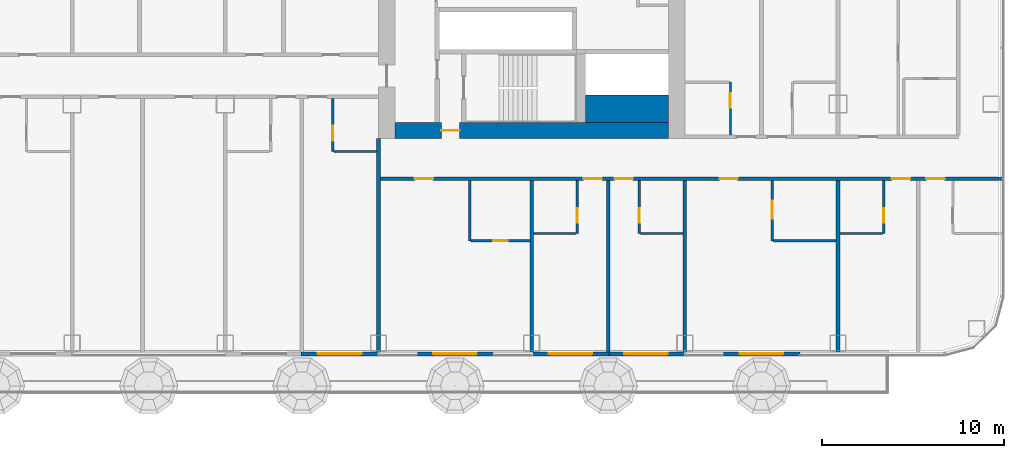
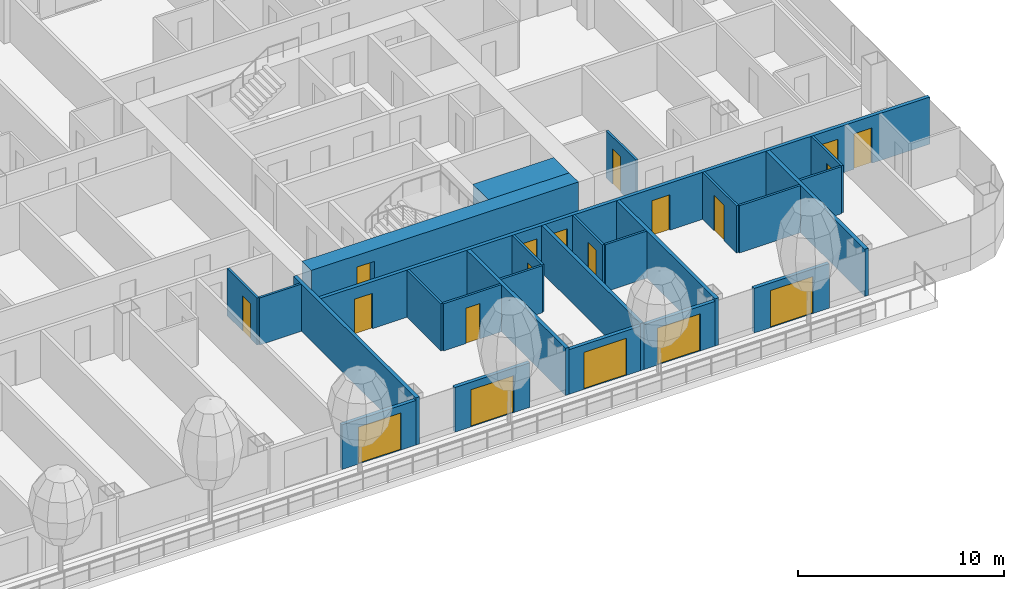
# One storey, part 17 of 36: 26 walls, 19 doors, 19 openings, 1 element without a shape of its own.
"""IFC4 building model written with IfcOpenShell, lengths in metres."""

from ifc_helpers import new_model, si_unit, direction, frame, frame_2d, origin, place, context, subcontext, project, spatial, rectangle, extrude, material, layer, layer_set, type_object, element, fill, aggregate, save


model = new_model("IFC4")

# Units and contexts
model_context = context("Model", 3, precision=1e-05, world=origin(), true_north=direction((0.0, 1.0)))
body_context = subcontext(model_context, "Body", "Model", "MODEL_VIEW")
ifc_project = project(units=[si_unit("LENGTHUNIT", "METRE"), si_unit("AREAUNIT", "SQUARE_METRE"), si_unit("VOLUMEUNIT", "CUBIC_METRE"), si_unit("PLANEANGLEUNIT", "RADIAN"), si_unit("MASSUNIT", "GRAM", prefix="KILO")], contexts=[model_context])

# Site, building, storey
site_placement = place(None, origin())
site = spatial("IfcSite", under=ifc_project, at=site_placement, CompositionType="ELEMENT")
building_placement = place(site_placement, origin())
building = spatial("IfcBuilding", under=site, at=building_placement, Name="Hakoniwa Tower and Hamabe Station Hall", CompositionType="ELEMENT")
storey_placement = place(building_placement, frame((0.0, 0.0, 26.199951171875)))
storey = spatial("IfcBuildingStorey", under=building, at=storey_placement, Name="L06", CompositionType="ELEMENT", Elevation=26.199951171875)

# Wall, opening, door
ifc_material_1 = material(Name="Gypsum board partition", Category="gypsum")
ifc_layer_1 = layer(ifc_material_1, 0.125)
ifc_layer_set_1 = layer_set([ifc_layer_1], Name="Bathroom Partition 125")
wall_type_1 = type_object("IfcWallType", Name="Bathroom Partition 125", PredefinedType="PARTITIONING", material=ifc_layer_set_1)
wall_1_placement = place(storey_placement, frame((21.862548828125, -14.0, 0.0), z_axis=(0.0, 0.0, 1.0), x_axis=(1.0, 0.0, 0.0)))
wall_1 = element("IfcWall", 1, at=wall_1_placement, inside=storey, type_object=wall_type_1, Name="GW-L06-001", PredefinedType="PARTITIONING", context=body_context, shape_type="SweptSolid", body=[
    extrude(rectangle(XDim=3.237548828125, YDim=0.125, at=frame_2d((1.61865234375, 0.0))), origin(), (0.0, 0.0, 1.0), 2.800048828125),
])
opening_1_placement = place(wall_1_placement, frame((1.237548828125, 0.0, 0.0)))
opening_1 = element("IfcOpeningElement", 2, at=opening_1_placement, cuts=wall_1, Name="Opening GD-G1C0-01", PredefinedType="OPENING", context=body_context, shape_type="SweptSolid", body=[
    extrude(rectangle(XDim=0.800048828125, YDim=2.10009765625, at=frame_2d((0.39990234375, 1.050048828125))), frame((0.0, 0.072509765625, 0.0), z_axis=(0.0, -1.0, 0.0), x_axis=(1.0, 0.0, 0.0)), (0.0, 0.0, 1.0), 0.14501953125),
])
ifc_material_2 = material(Name="Timber door leaf", Category="wood")
door_type_1 = type_object("IfcDoorType", Name="Bathroom Door 800", OperationType="SINGLE_SWING_LEFT", PredefinedType="DOOR", material=ifc_material_2)
door_1_placement = place(opening_1_placement, origin())
door_1 = element("IfcDoor", 3, at=door_1_placement, inside=storey, type_object=door_type_1, Name="Door GD-G1C0-01", OperationType="SINGLE_SWING_RIGHT", OverallHeight=2.10009765625, OverallWidth=0.800048828125, PredefinedType="DOOR", context=body_context, shape_type="SweptSolid", body=[
    extrude(rectangle(XDim=0.800048828125, YDim=2.10009765625, at=frame_2d((0.39990234375, 1.050048828125))), frame((0.0, 0.02490234375, 0.0), z_axis=(0.0, -1.0, 0.0), x_axis=(1.0, 0.0, 0.0)), (0.0, 0.0, 1.0), 0.050048828125),
])
fill(opening_1, door_1)

# Walls
wall_2_placement = place(storey_placement, frame((38.46240234375, -14.0, 0.0), z_axis=(0.0, 0.0, 1.0), x_axis=(1.0, 0.0, 0.0)))
element("IfcWall", 4, at=wall_2_placement, inside=storey, type_object=wall_type_1, Name="GW-L06-002", PredefinedType="PARTITIONING", context=body_context, shape_type="SweptSolid", body=[
    extrude(rectangle(XDim=3.4375, YDim=0.125, at=frame_2d((1.71875, 0.0))), origin(), (0.0, 0.0, 1.0), 2.800048828125),
])
for number, where, z_axis, x_axis, name in (
    (5, (25.300048828125, -13.60009765625, 0.0), (0.0, 0.0, 1.0), (1.0, 0.0, 0.0), "GW-L06-003"),
    (6, (31.16259765625, -13.60009765625, 0.0), (0.0, 0.0, 1.0), (1.0, 0.0, 0.0), "GW-L06-004"),
    (7, (42.10009765625, -13.60009765625, 0.0), (0.0, 0.0, 1.0), (1.0, 0.0, 0.0), "GW-L06-005"),
    (8, (14.362548828125, -9.10009765625, 0.0), (0.0, 0.0, 1.0), (1.0, 0.0, 0.0), "GW-L06-013"),
):
    element("IfcWall", number, at=place(storey_placement, frame(where, z_axis=z_axis, x_axis=x_axis)), inside=storey, type_object=wall_type_1, Name=name, PredefinedType="PARTITIONING", context=body_context, shape_type="SweptSolid", body=[
        extrude(rectangle(XDim=2.33740234375, YDim=0.125, at=frame_2d((1.168701171875, 0.0))), origin(), (0.0, 0.0, 1.0), 2.800048828125),
    ])

# Wall, opening, door
wall_3_placement = place(storey_placement, frame((14.300048828125, -9.10009765625, 0.0), z_axis=(0.0, 0.0, 1.0), x_axis=(0.0, 1.0, 0.0)))
wall_3 = element("IfcWall", 9, at=wall_3_placement, inside=storey, type_object=wall_type_1, Name="GW-L06-107", PredefinedType="PARTITIONING", context=body_context, shape_type="SweptSolid", body=[
    extrude(rectangle(XDim=2.900146484375, YDim=0.125, at=frame_2d((1.4501953125, 0.0))), origin(), (0.0, 0.0, 1.0), 2.800048828125),
])
opening_2_placement = place(wall_3_placement, frame((0.60009765625, 0.0, 0.0)))
opening_2 = element("IfcOpeningElement", 10, at=opening_2_placement, cuts=wall_3, Name="Opening GD-G1C0-83", PredefinedType="OPENING", context=body_context, shape_type="SweptSolid", body=[
    extrude(rectangle(XDim=0.800048828125, YDim=2.10009765625, at=frame_2d((0.39990234375, 1.050048828125))), frame((0.0, 0.072509765625, 0.0), z_axis=(0.0, -1.0, 0.0), x_axis=(1.0, 0.0, 0.0)), (0.0, 0.0, 1.0), 0.14501953125),
])
door_2_placement = place(opening_2_placement, origin())
door_2 = element("IfcDoor", 11, at=door_2_placement, inside=storey, type_object=door_type_1, Name="Door GD-G1C0-83", OperationType="SINGLE_SWING_LEFT", OverallHeight=2.10009765625, OverallWidth=0.800048828125, PredefinedType="DOOR", context=body_context, shape_type="SweptSolid", body=[
    extrude(rectangle(XDim=0.800048828125, YDim=2.10009765625, at=frame_2d((0.39990234375, 1.050048828125))), frame((0.0, 0.02490234375, 0.0), z_axis=(0.0, -1.0, 0.0), x_axis=(1.0, 0.0, 0.0)), (0.0, 0.0, 1.0), 0.050048828125),
])
fill(opening_2, door_2)

# Wall
wall_4_placement = place(storey_placement, frame((21.800048828125, -14.0, 0.0), z_axis=(0.0, 0.0, 1.0), x_axis=(0.0, 1.0, 0.0)))
element("IfcWall", 12, at=wall_4_placement, inside=storey, type_object=wall_type_1, Name="GW-L06-111", PredefinedType="PARTITIONING", context=body_context, shape_type="SweptSolid", body=[
    extrude(rectangle(XDim=3.300048828125, YDim=0.125, at=frame_2d((1.64990234375, 0.0))), origin(), (0.0, 0.0, 1.0), 2.800048828125),
])

# Wall, opening, door
wall_5_placement = place(storey_placement, frame((27.699951171875, -13.60009765625, 0.0), z_axis=(0.0, 0.0, 1.0), x_axis=(0.0, 1.0, 0.0)))
wall_5 = element("IfcWall", 13, at=wall_5_placement, inside=storey, type_object=wall_type_1, Name="GW-L06-115", PredefinedType="PARTITIONING", context=body_context, shape_type="SweptSolid", body=[
    extrude(rectangle(XDim=2.900146484375, YDim=0.125, at=frame_2d((1.4501953125, 0.0))), origin(), (0.0, 0.0, 1.0), 2.800048828125),
])
opening_3_placement = place(wall_5_placement, frame((0.60009765625, 0.0, 0.0)))
opening_3 = element("IfcOpeningElement", 14, at=opening_3_placement, cuts=wall_5, Name="Opening GD-G1C0-85", PredefinedType="OPENING", context=body_context, shape_type="SweptSolid", body=[
    extrude(rectangle(XDim=0.800048828125, YDim=2.10009765625, at=frame_2d((0.39990234375, 1.050048828125))), frame((0.0, 0.072509765625, 0.0), z_axis=(0.0, -1.0, 0.0), x_axis=(1.0, 0.0, 0.0)), (0.0, 0.0, 1.0), 0.14501953125),
])
door_3_placement = place(opening_3_placement, origin())
door_3 = element("IfcDoor", 15, at=door_3_placement, inside=storey, type_object=door_type_1, Name="Door GD-G1C0-85", OperationType="SINGLE_SWING_RIGHT", OverallHeight=2.10009765625, OverallWidth=0.800048828125, PredefinedType="DOOR", context=body_context, shape_type="SweptSolid", body=[
    extrude(rectangle(XDim=0.800048828125, YDim=2.10009765625, at=frame_2d((0.39990234375, 1.050048828125))), frame((0.0, 0.02490234375, 0.0), z_axis=(0.0, -1.0, 0.0), x_axis=(1.0, 0.0, 0.0)), (0.0, 0.0, 1.0), 0.050048828125),
])
fill(opening_3, door_3)

wall_6_placement = place(storey_placement, frame((31.10009765625, -13.60009765625, 0.0), z_axis=(0.0, 0.0, 1.0), x_axis=(0.0, 1.0, 0.0)))
wall_6 = element("IfcWall", 16, at=wall_6_placement, inside=storey, type_object=wall_type_1, Name="GW-L06-119", PredefinedType="PARTITIONING", context=body_context, shape_type="SweptSolid", body=[
    extrude(rectangle(XDim=2.900146484375, YDim=0.125, at=frame_2d((1.4501953125, 0.0))), origin(), (0.0, 0.0, 1.0), 2.800048828125),
])
opening_4_placement = place(wall_6_placement, frame((0.60009765625, 0.0, 0.0)))
opening_4 = element("IfcOpeningElement", 17, at=opening_4_placement, cuts=wall_6, Name="Opening GD-G1C0-87", PredefinedType="OPENING", context=body_context, shape_type="SweptSolid", body=[
    extrude(rectangle(XDim=0.800048828125, YDim=2.10009765625, at=frame_2d((0.39990234375, 1.050048828125))), frame((0.0, 0.072509765625, 0.0), z_axis=(0.0, -1.0, 0.0), x_axis=(1.0, 0.0, 0.0)), (0.0, 0.0, 1.0), 0.14501953125),
])
door_4_placement = place(opening_4_placement, origin())
door_4 = element("IfcDoor", 18, at=door_4_placement, inside=storey, type_object=door_type_1, Name="Door GD-G1C0-87", OperationType="SINGLE_SWING_LEFT", OverallHeight=2.10009765625, OverallWidth=0.800048828125, PredefinedType="DOOR", context=body_context, shape_type="SweptSolid", body=[
    extrude(rectangle(XDim=0.800048828125, YDim=2.10009765625, at=frame_2d((0.39990234375, 1.050048828125))), frame((0.0, 0.02490234375, 0.0), z_axis=(0.0, -1.0, 0.0), x_axis=(1.0, 0.0, 0.0)), (0.0, 0.0, 1.0), 0.050048828125),
])
fill(opening_4, door_4)

wall_7_placement = place(storey_placement, frame((36.10009765625, -8.199951171875, 0.0), z_axis=(0.0, 0.0, 1.0), x_axis=(0.0, 1.0, 0.0)))
wall_7 = element("IfcWall", 19, at=wall_7_placement, inside=storey, type_object=wall_type_1, Name="GW-L06-123", PredefinedType="PARTITIONING", context=body_context, shape_type="SweptSolid", body=[
    extrude(rectangle(XDim=2.89990234375, YDim=0.125, at=frame_2d((1.449951171875, 0.0))), origin(), (0.0, 0.0, 1.0), 2.800048828125),
])
opening_5_placement = place(wall_7_placement, frame((1.5, 0.0, 0.0)))
opening_5 = element("IfcOpeningElement", 20, at=opening_5_placement, cuts=wall_7, Name="Opening GD-G1C0-89", PredefinedType="OPENING", context=body_context, shape_type="SweptSolid", body=[
    extrude(rectangle(XDim=0.800048828125, YDim=2.10009765625, at=frame_2d((0.39990234375, 1.050048828125))), frame((0.0, 0.072509765625, 0.0), z_axis=(0.0, -1.0, 0.0), x_axis=(1.0, 0.0, 0.0)), (0.0, 0.0, 1.0), 0.14501953125),
])
door_5_placement = place(opening_5_placement, origin())
door_5 = element("IfcDoor", 21, at=door_5_placement, inside=storey, type_object=door_type_1, Name="Door GD-G1C0-89", OperationType="SINGLE_SWING_LEFT", OverallHeight=2.10009765625, OverallWidth=0.800048828125, PredefinedType="DOOR", context=body_context, shape_type="SweptSolid", body=[
    extrude(rectangle(XDim=0.800048828125, YDim=2.10009765625, at=frame_2d((0.39990234375, 1.050048828125))), frame((0.0, 0.02490234375, 0.0), z_axis=(0.0, -1.0, 0.0), x_axis=(1.0, 0.0, 0.0)), (0.0, 0.0, 1.0), 0.050048828125),
])
fill(opening_5, door_5)

wall_8_placement = place(storey_placement, frame((38.39990234375, -14.0, 0.0), z_axis=(0.0, 0.0, 1.0), x_axis=(0.0, 1.0, 0.0)))
wall_8 = element("IfcWall", 22, at=wall_8_placement, inside=storey, type_object=wall_type_1, Name="GW-L06-127", PredefinedType="PARTITIONING", context=body_context, shape_type="SweptSolid", body=[
    extrude(rectangle(XDim=3.300048828125, YDim=0.125, at=frame_2d((1.64990234375, 0.0))), origin(), (0.0, 0.0, 1.0), 2.800048828125),
])
opening_6_placement = place(wall_8_placement, frame((1.199951171875, 0.0, 0.0)))
opening_6 = element("IfcOpeningElement", 23, at=opening_6_placement, cuts=wall_8, Name="Opening GD-G1C0-90", PredefinedType="OPENING", context=body_context, shape_type="SweptSolid", body=[
    extrude(rectangle(XDim=1.0, YDim=2.10009765625, at=frame_2d((0.5, 1.050048828125))), frame((0.0, 0.072509765625, 0.0), z_axis=(0.0, -1.0, 0.0), x_axis=(1.0, 0.0, 0.0)), (0.0, 0.0, 1.0), 0.14501953125),
])
ifc_material_3 = material(Name="Timber door leaf", Category="wood")
door_type_2 = type_object("IfcDoorType", Name="Accessible Bathroom Door 1000", OperationType="SINGLE_SWING_LEFT", PredefinedType="DOOR", material=ifc_material_3)
door_6_placement = place(opening_6_placement, origin())
door_6 = element("IfcDoor", 24, at=door_6_placement, inside=storey, type_object=door_type_2, Name="Door GD-G1C0-90", OperationType="SINGLE_SWING_LEFT", OverallHeight=2.10009765625, OverallWidth=1.0, PredefinedType="DOOR", context=body_context, shape_type="SweptSolid", body=[
    extrude(rectangle(XDim=1.0, YDim=2.10009765625, at=frame_2d((0.5, 1.050048828125))), frame((0.0, 0.02490234375, 0.0), z_axis=(0.0, -1.0, 0.0), x_axis=(1.0, 0.0, 0.0)), (0.0, 0.0, 1.0), 0.050048828125),
])
fill(opening_6, door_6)

wall_9_placement = place(storey_placement, frame((44.5, -13.60009765625, 0.0), z_axis=(0.0, 0.0, 1.0), x_axis=(0.0, 1.0, 0.0)))
wall_9 = element("IfcWall", 25, at=wall_9_placement, inside=storey, type_object=wall_type_1, Name="GW-L06-132", PredefinedType="PARTITIONING", context=body_context, shape_type="SweptSolid", body=[
    extrude(rectangle(XDim=2.900146484375, YDim=0.125, at=frame_2d((1.4501953125, 0.0))), origin(), (0.0, 0.0, 1.0), 2.800048828125),
])
opening_7_placement = place(wall_9_placement, frame((0.60009765625, 0.0, 0.0)))
opening_7 = element("IfcOpeningElement", 26, at=opening_7_placement, cuts=wall_9, Name="Opening GD-G1C0-92", PredefinedType="OPENING", context=body_context, shape_type="SweptSolid", body=[
    extrude(rectangle(XDim=0.800048828125, YDim=2.10009765625, at=frame_2d((0.39990234375, 1.050048828125))), frame((0.0, 0.072509765625, 0.0), z_axis=(0.0, -1.0, 0.0), x_axis=(1.0, 0.0, 0.0)), (0.0, 0.0, 1.0), 0.14501953125),
])
door_7_placement = place(opening_7_placement, origin())
door_7 = element("IfcDoor", 27, at=door_7_placement, inside=storey, type_object=door_type_1, Name="Door GD-G1C0-92", OperationType="SINGLE_SWING_RIGHT", OverallHeight=2.10009765625, OverallWidth=0.800048828125, PredefinedType="DOOR", context=body_context, shape_type="SweptSolid", body=[
    extrude(rectangle(XDim=0.800048828125, YDim=2.10009765625, at=frame_2d((0.39990234375, 1.050048828125))), frame((0.0, 0.02490234375, 0.0), z_axis=(0.0, -1.0, 0.0), x_axis=(1.0, 0.0, 0.0)), (0.0, 0.0, 1.0), 0.050048828125),
])
fill(opening_7, door_7)

ifc_material_4 = material(Name="Concrete C80", Category="concrete")
ifc_layer_2 = layer(ifc_material_4, 0.89990234375)
ifc_layer_set_2 = layer_set([ifc_layer_2], Name="CORE WALL 900 C80")
wall_type_2 = type_object("IfcWallType", Name="CORE WALL 900 C80", PredefinedType="SHEAR", material=ifc_layer_set_2)
wall_10_placement = place(storey_placement, frame((17.699951171875, -7.949951171875, 0.0), z_axis=(0.0, 0.0, 1.0), x_axis=(1.0, 0.0, 0.0)))
wall_10 = element("IfcWall", 28, at=wall_10_placement, inside=storey, type_object=wall_type_2, Name="Core wall SOUTH east", PredefinedType="SHEAR", context=body_context, shape_type="SweptSolid", body=[
    extrude(rectangle(XDim=15.0, YDim=0.89990234375, at=frame_2d((7.5, 0.0))), origin(), (0.0, 0.0, 1.0), 2.800048828125),
])
opening_8_placement = place(wall_10_placement, frame((2.550048828125, 0.0, 0.0)))
opening_8 = element("IfcOpeningElement", 29, at=opening_8_placement, cuts=wall_10, Name="Opening CD-E-FS3-10", PredefinedType="OPENING", context=body_context, shape_type="SweptSolid", body=[
    extrude(rectangle(XDim=1.0, YDim=2.10009765625, at=frame_2d((0.5, 1.050048828125))), frame((0.0, 0.4599609375, 0.0), z_axis=(0.0, -1.0, 0.0), x_axis=(1.0, 0.0, 0.0)), (0.0, 0.0, 1.0), 0.919921875),
])
ifc_material_5 = material(Name="Steel fire door", Category="steel")
door_type_3 = type_object("IfcDoorType", Name="CORE DOOR 1000 FD60", OperationType="NOTDEFINED", PredefinedType="DOOR", material=ifc_material_5)
door_8_placement = place(opening_8_placement, origin())
door_8 = element("IfcDoor", 30, at=door_8_placement, inside=storey, type_object=door_type_3, Name="Stair vestibule door", OperationType="SINGLE_SWING_RIGHT", OverallHeight=2.10009765625, OverallWidth=1.0, PredefinedType="DOOR", context=body_context, shape_type="SweptSolid", body=[
    extrude(rectangle(XDim=1.0, YDim=2.10009765625, at=frame_2d((0.5, 1.050048828125))), frame((0.0, 0.02490234375, 0.0), z_axis=(0.0, -1.0, 0.0), x_axis=(1.0, 0.0, 0.0)), (0.0, 0.0, 1.0), 0.050048828125),
])
fill(opening_8, door_8)

# Wall
ifc_material_6 = material(Name="Concrete C80", Category="concrete")
ifc_layer_3 = layer(ifc_material_6, 1.5)
ifc_layer_set_3 = layer_set([ifc_layer_3], Name="CORE WEB WALL 1500 C80")
wall_type_3 = type_object("IfcWallType", Name="CORE WEB WALL 1500 C80", PredefinedType="SHEAR", material=ifc_layer_set_3)
wall_11_placement = place(storey_placement, frame((28.14990234375, -6.75, 0.0), z_axis=(0.0, 0.0, 1.0), x_axis=(1.0, 0.0, 0.0)))
element("IfcWall", 31, at=wall_11_placement, inside=storey, type_object=wall_type_3, Name="Core wall SER east", PredefinedType="SHEAR", context=body_context, shape_type="SweptSolid", body=[
    extrude(rectangle(XDim=4.550048828125, YDim=1.5, at=frame_2d((2.27490234375, 0.0))), origin(), (0.0, 0.0, 1.0), 2.800048828125),
])

# Wall, openings, doors
ifc_material_7 = material(Name="Fire-rated gypsum board partition", Category="gypsum")
ifc_layer_4 = layer(ifc_material_7, 0.199951171875)
ifc_layer_set_4 = layer_set([ifc_layer_4], Name="Corridor Wall 200")
wall_type_4 = type_object("IfcWallType", Name="Corridor Wall 200", PredefinedType="PARTITIONING", material=ifc_layer_set_4)
wall_12_placement = place(storey_placement, frame((16.800048828125, -10.60009765625, 0.0), z_axis=(0.0, 0.0, 1.0), x_axis=(1.0, 0.0, 0.0)))
wall_12 = element("IfcWall", 32, at=wall_12_placement, inside=storey, type_object=wall_type_4, Name="GW-L06-008", PredefinedType="PARTITIONING", context=body_context, shape_type="SweptSolid", body=[
    extrude(rectangle(XDim=34.300048828125, YDim=0.199951171875, at=frame_2d((17.14990234375, 0.0))), origin(), (0.0, 0.0, 1.0), 2.800048828125),
])
opening_9_placement = place(wall_12_placement, frame((2.0, 0.0, 0.0)))
opening_9 = element("IfcOpeningElement", 33, at=opening_9_placement, cuts=wall_12, Name="Opening GD-G1C0-08", PredefinedType="OPENING", context=body_context, shape_type="SweptSolid", body=[
    extrude(rectangle(XDim=1.0, YDim=2.10009765625, at=frame_2d((0.5, 1.050048828125))), frame((0.0, 0.10986328125, 0.0), z_axis=(0.0, -1.0, 0.0), x_axis=(1.0, 0.0, 0.0)), (0.0, 0.0, 1.0), 0.219970703125),
])
opening_10_placement = place(wall_12_placement, frame((11.25, 0.0, 0.0)))
opening_10 = element("IfcOpeningElement", 34, at=opening_10_placement, cuts=wall_12, Name="Opening GD-G1C0-09", PredefinedType="OPENING", context=body_context, shape_type="SweptSolid", body=[
    extrude(rectangle(XDim=1.0, YDim=2.10009765625, at=frame_2d((0.5, 1.050048828125))), frame((0.0, 0.10986328125, 0.0), z_axis=(0.0, -1.0, 0.0), x_axis=(1.0, 0.0, 0.0)), (0.0, 0.0, 1.0), 0.219970703125),
])
opening_11_placement = place(wall_12_placement, frame((12.949951171875, 0.0, 0.0)))
opening_11 = element("IfcOpeningElement", 35, at=opening_11_placement, cuts=wall_12, Name="Opening GD-G1C0-10", PredefinedType="OPENING", context=body_context, shape_type="SweptSolid", body=[
    extrude(rectangle(XDim=1.0, YDim=2.10009765625, at=frame_2d((0.5, 1.050048828125))), frame((0.0, 0.10986328125, 0.0), z_axis=(0.0, -1.0, 0.0), x_axis=(1.0, 0.0, 0.0)), (0.0, 0.0, 1.0), 0.219970703125),
])
opening_12_placement = place(wall_12_placement, frame((18.699951171875, 0.0, 0.0)))
opening_12 = element("IfcOpeningElement", 36, at=opening_12_placement, cuts=wall_12, Name="Opening GD-G1C0-11", PredefinedType="OPENING", context=body_context, shape_type="SweptSolid", body=[
    extrude(rectangle(XDim=1.0, YDim=2.10009765625, at=frame_2d((0.5, 1.050048828125))), frame((0.0, 0.10986328125, 0.0), z_axis=(0.0, -1.0, 0.0), x_axis=(1.0, 0.0, 0.0)), (0.0, 0.0, 1.0), 0.219970703125),
])
opening_13_placement = place(wall_12_placement, frame((28.14990234375, 0.0, 0.0)))
opening_13 = element("IfcOpeningElement", 37, at=opening_13_placement, cuts=wall_12, Name="Opening GD-G1C0-12", PredefinedType="OPENING", context=body_context, shape_type="SweptSolid", body=[
    extrude(rectangle(XDim=1.0, YDim=2.10009765625, at=frame_2d((0.5, 1.050048828125))), frame((0.0, 0.10986328125, 0.0), z_axis=(0.0, -1.0, 0.0), x_axis=(1.0, 0.0, 0.0)), (0.0, 0.0, 1.0), 0.219970703125),
])
opening_14_placement = place(wall_12_placement, frame((30.050048828125, 0.0, 0.0)))
opening_14 = element("IfcOpeningElement", 38, at=opening_14_placement, cuts=wall_12, Name="Opening GD-G1C0-13", PredefinedType="OPENING", context=body_context, shape_type="SweptSolid", body=[
    extrude(rectangle(XDim=1.0, YDim=2.10009765625, at=frame_2d((0.5, 1.050048828125))), frame((0.0, 0.10986328125, 0.0), z_axis=(0.0, -1.0, 0.0), x_axis=(1.0, 0.0, 0.0)), (0.0, 0.0, 1.0), 0.219970703125),
])
ifc_material_8 = material(Name="Timber door leaf", Category="wood")
door_type_4 = type_object("IfcDoorType", Name="Accessible Guest Entrance Door 1000", OperationType="SINGLE_SWING_LEFT", PredefinedType="DOOR", material=ifc_material_8)
door_9_placement = place(opening_12_placement, origin())
door_9 = element("IfcDoor", 39, at=door_9_placement, inside=storey, type_object=door_type_4, Name="Door GD-G1C0-11", OperationType="SINGLE_SWING_RIGHT", OverallHeight=2.10009765625, OverallWidth=1.0, PredefinedType="DOOR", context=body_context, shape_type="SweptSolid", body=[
    extrude(rectangle(XDim=1.0, YDim=2.10009765625, at=frame_2d((0.5, 1.050048828125))), frame((0.0, 0.02490234375, 0.0), z_axis=(0.0, -1.0, 0.0), x_axis=(1.0, 0.0, 0.0)), (0.0, 0.0, 1.0), 0.050048828125),
])
fill(opening_12, door_9)
ifc_material_9 = material(Name="Timber door leaf", Category="wood")
door_type_5 = type_object("IfcDoorType", Name="Guest Entrance Door 1000", OperationType="SINGLE_SWING_LEFT", PredefinedType="DOOR", material=ifc_material_9)
door_10_placement = place(opening_9_placement, origin())
door_10 = element("IfcDoor", 40, at=door_10_placement, inside=storey, type_object=door_type_5, Name="Door GD-G1C0-08", OperationType="SINGLE_SWING_RIGHT", OverallHeight=2.10009765625, OverallWidth=1.0, PredefinedType="DOOR", context=body_context, shape_type="SweptSolid", body=[
    extrude(rectangle(XDim=1.0, YDim=2.10009765625, at=frame_2d((0.5, 1.050048828125))), frame((0.0, 0.02490234375, 0.0), z_axis=(0.0, -1.0, 0.0), x_axis=(1.0, 0.0, 0.0)), (0.0, 0.0, 1.0), 0.050048828125),
])
fill(opening_9, door_10)
door_11_placement = place(opening_10_placement, origin())
door_11 = element("IfcDoor", 41, at=door_11_placement, inside=storey, type_object=door_type_5, Name="Door GD-G1C0-09", OperationType="SINGLE_SWING_LEFT", OverallHeight=2.10009765625, OverallWidth=1.0, PredefinedType="DOOR", context=body_context, shape_type="SweptSolid", body=[
    extrude(rectangle(XDim=1.0, YDim=2.10009765625, at=frame_2d((0.5, 1.050048828125))), frame((0.0, 0.02490234375, 0.0), z_axis=(0.0, -1.0, 0.0), x_axis=(1.0, 0.0, 0.0)), (0.0, 0.0, 1.0), 0.050048828125),
])
fill(opening_10, door_11)
door_12_placement = place(opening_11_placement, origin())
door_12 = element("IfcDoor", 42, at=door_12_placement, inside=storey, type_object=door_type_5, Name="Door GD-G1C0-10", OperationType="SINGLE_SWING_LEFT", OverallHeight=2.10009765625, OverallWidth=1.0, PredefinedType="DOOR", context=body_context, shape_type="SweptSolid", body=[
    extrude(rectangle(XDim=1.0, YDim=2.10009765625, at=frame_2d((0.5, 1.050048828125))), frame((0.0, 0.02490234375, 0.0), z_axis=(0.0, -1.0, 0.0), x_axis=(1.0, 0.0, 0.0)), (0.0, 0.0, 1.0), 0.050048828125),
])
fill(opening_11, door_12)
door_13_placement = place(opening_13_placement, origin())
door_13 = element("IfcDoor", 43, at=door_13_placement, inside=storey, type_object=door_type_5, Name="Door GD-G1C0-12", OperationType="SINGLE_SWING_LEFT", OverallHeight=2.10009765625, OverallWidth=1.0, PredefinedType="DOOR", context=body_context, shape_type="SweptSolid", body=[
    extrude(rectangle(XDim=1.0, YDim=2.10009765625, at=frame_2d((0.5, 1.050048828125))), frame((0.0, 0.02490234375, 0.0), z_axis=(0.0, -1.0, 0.0), x_axis=(1.0, 0.0, 0.0)), (0.0, 0.0, 1.0), 0.050048828125),
])
fill(opening_13, door_13)
door_14_placement = place(opening_14_placement, origin())
door_14 = element("IfcDoor", 44, at=door_14_placement, inside=storey, type_object=door_type_5, Name="Door GD-G1C0-13", OperationType="SINGLE_SWING_RIGHT", OverallHeight=2.10009765625, OverallWidth=1.0, PredefinedType="DOOR", context=body_context, shape_type="SweptSolid", body=[
    extrude(rectangle(XDim=1.0, YDim=2.10009765625, at=frame_2d((0.5, 1.050048828125))), frame((0.0, 0.02490234375, 0.0), z_axis=(0.0, -1.0, 0.0), x_axis=(1.0, 0.0, 0.0)), (0.0, 0.0, 1.0), 0.050048828125),
])
fill(opening_14, door_14)

# Curtain wall, walls, openings, doors
ifc_material_10 = material(Name="Dark low-e laminated glass", Category="glass")
ifc_layer_5 = layer(ifc_material_10, 0.199951171875)
ifc_layer_set_5 = layer_set([ifc_layer_5], Name="CW-1 UNITISED GUEST")
curtain_wall_type = type_object("IfcCurtainWallType", Name="CW-1 UNITISED GUEST", PredefinedType="NOTDEFINED", material=ifc_layer_set_5)
curtain_wall_placement = place(storey_placement, origin())
curtain_wall = element("IfcCurtainWall", 45, at=curtain_wall_placement, inside=storey, type_object=curtain_wall_type, Name="CW-1 curtain wall", PredefinedType="NOTDEFINED")
ifc_material_11 = material(Name="Dark glass-faced aluminium panel", Category="aluminium")
ifc_layer_6 = layer(ifc_material_11, 0.199951171875)
ifc_layer_set_6 = layer_set([ifc_layer_6], Name="DOOR BAY WALL")
wall_type_5 = type_object("IfcWallType", Name="DOOR BAY WALL", PredefinedType="NOTDEFINED", material=ifc_layer_set_6)
wall_13_placement = place(storey_placement, frame((12.56005859375, -20.199951171875, 0.0), z_axis=(0.0, 0.0, 1.0), x_axis=(1.0, 0.0, 0.0)))
wall_13 = element("IfcWall", 46, at=wall_13_placement, type_object=wall_type_5, Name="Door bay wall", PredefinedType="NOTDEFINED", context=body_context, shape_type="SweptSolid", body=[
    extrude(rectangle(XDim=4.219970703125, YDim=0.199951171875, at=frame_2d((2.10986328125, 0.0))), origin(), (0.0, 0.0, 1.0), 2.650146484375),
])
opening_15_placement = place(wall_13_placement, frame((0.909912109375, 0.0, 0.0)))
opening_15 = element("IfcOpeningElement", 47, at=opening_15_placement, cuts=wall_13, Name="Opening BD-S07-10", PredefinedType="OPENING", context=body_context, shape_type="SweptSolid", body=[
    extrude(rectangle(XDim=2.39990234375, YDim=2.199951171875, at=frame_2d((1.199951171875, 1.10009765625))), frame((0.0, 0.10986328125, 0.0), z_axis=(0.0, -1.0, 0.0), x_axis=(1.0, 0.0, 0.0)), (0.0, 0.0, 1.0), 0.219970703125),
])
ifc_material_12 = material(Name="Dark low-e laminated glass", Category="glass")
door_type_6 = type_object("IfcDoorType", Name="BALCONY SLIDING DOOR 2400X2200", OperationType="SLIDING_TO_LEFT", PredefinedType="DOOR", material=ifc_material_12)
door_15_placement = place(opening_15_placement, frame((2.39990234375, 0.0, 0.0), z_axis=(0.0, 0.0, 1.0), x_axis=(-1.0, 0.0, 0.0)))
door_15 = element("IfcDoor", 48, at=door_15_placement, inside=storey, type_object=door_type_6, Name="Balcony sliding door", OperationType="SLIDING_TO_LEFT", OverallHeight=2.199951171875, OverallWidth=2.39990234375, PredefinedType="DOOR", context=body_context, shape_type="SweptSolid", body=[
    extrude(rectangle(XDim=2.39990234375, YDim=2.199951171875, at=frame_2d((1.199951171875, 1.10009765625))), frame((0.0, 0.02490234375, 0.0), z_axis=(0.0, -1.0, 0.0), x_axis=(1.0, 0.0, 0.0)), (0.0, 0.0, 1.0), 0.050048828125),
])
fill(opening_15, door_15)
wall_14_placement = place(storey_placement, frame((18.889892578125, -20.199951171875, 0.0), z_axis=(0.0, 0.0, 1.0), x_axis=(1.0, 0.0, 0.0)))
wall_14 = element("IfcWall", 49, at=wall_14_placement, type_object=wall_type_5, Name="Door bay wall", PredefinedType="NOTDEFINED", context=body_context, shape_type="SweptSolid", body=[
    extrude(rectangle(XDim=4.22021484375, YDim=0.199951171875, at=frame_2d((2.110107421875, 0.0))), origin(), (0.0, 0.0, 1.0), 2.650146484375),
])
opening_16_placement = place(wall_14_placement, frame((0.909912109375, 0.0, 0.0)))
opening_16 = element("IfcOpeningElement", 50, at=opening_16_placement, cuts=wall_14, Name="Opening BD-S07-15", PredefinedType="OPENING", context=body_context, shape_type="SweptSolid", body=[
    extrude(rectangle(XDim=2.39990234375, YDim=2.199951171875, at=frame_2d((1.199951171875, 1.10009765625))), frame((0.0, 0.10986328125, 0.0), z_axis=(0.0, -1.0, 0.0), x_axis=(1.0, 0.0, 0.0)), (0.0, 0.0, 1.0), 0.219970703125),
])
door_16_placement = place(opening_16_placement, frame((2.39990234375, 0.0, 0.0), z_axis=(0.0, 0.0, 1.0), x_axis=(-1.0, 0.0, 0.0)))
door_16 = element("IfcDoor", 51, at=door_16_placement, inside=storey, type_object=door_type_6, Name="Balcony sliding door", OperationType="SLIDING_TO_LEFT", OverallHeight=2.199951171875, OverallWidth=2.39990234375, PredefinedType="DOOR", context=body_context, shape_type="SweptSolid", body=[
    extrude(rectangle(XDim=2.39990234375, YDim=2.199951171875, at=frame_2d((1.199951171875, 1.10009765625))), frame((0.0, 0.02490234375, 0.0), z_axis=(0.0, -1.0, 0.0), x_axis=(1.0, 0.0, 0.0)), (0.0, 0.0, 1.0), 0.050048828125),
])
fill(opening_16, door_16)
wall_15_placement = place(storey_placement, frame((25.219970703125, -20.199951171875, 0.0), z_axis=(0.0, 0.0, 1.0), x_axis=(1.0, 0.0, 0.0)))
wall_15 = element("IfcWall", 52, at=wall_15_placement, type_object=wall_type_5, Name="Door bay wall", PredefinedType="NOTDEFINED", context=body_context, shape_type="SweptSolid", body=[
    extrude(rectangle(XDim=4.219970703125, YDim=0.199951171875, at=frame_2d((2.10986328125, 0.0))), origin(), (0.0, 0.0, 1.0), 2.650146484375),
])
opening_17_placement = place(wall_15_placement, frame((0.909912109375, 0.0, 0.0)))
opening_17 = element("IfcOpeningElement", 53, at=opening_17_placement, cuts=wall_15, Name="Opening BD-S07-16", PredefinedType="OPENING", context=body_context, shape_type="SweptSolid", body=[
    extrude(rectangle(XDim=2.39990234375, YDim=2.199951171875, at=frame_2d((1.199951171875, 1.10009765625))), frame((0.0, 0.10986328125, 0.0), z_axis=(0.0, -1.0, 0.0), x_axis=(1.0, 0.0, 0.0)), (0.0, 0.0, 1.0), 0.219970703125),
])
door_17_placement = place(opening_17_placement, frame((2.39990234375, 0.0, 0.0), z_axis=(0.0, 0.0, 1.0), x_axis=(-1.0, 0.0, 0.0)))
door_17 = element("IfcDoor", 54, at=door_17_placement, inside=storey, type_object=door_type_6, Name="Balcony sliding door", OperationType="SLIDING_TO_LEFT", OverallHeight=2.199951171875, OverallWidth=2.39990234375, PredefinedType="DOOR", context=body_context, shape_type="SweptSolid", body=[
    extrude(rectangle(XDim=2.39990234375, YDim=2.199951171875, at=frame_2d((1.199951171875, 1.10009765625))), frame((0.0, 0.02490234375, 0.0), z_axis=(0.0, -1.0, 0.0), x_axis=(1.0, 0.0, 0.0)), (0.0, 0.0, 1.0), 0.050048828125),
])
fill(opening_17, door_17)
wall_16_placement = place(storey_placement, frame((29.360107421875, -20.199951171875, 0.0), z_axis=(0.0, 0.0, 1.0), x_axis=(1.0, 0.0, 0.0)))
wall_16 = element("IfcWall", 55, at=wall_16_placement, type_object=wall_type_5, Name="Door bay wall", PredefinedType="NOTDEFINED", context=body_context, shape_type="SweptSolid", body=[
    extrude(rectangle(XDim=4.219970703125, YDim=0.199951171875, at=frame_2d((2.10986328125, 0.0))), origin(), (0.0, 0.0, 1.0), 2.650146484375),
])
opening_18_placement = place(wall_16_placement, frame((0.909912109375, 0.0, 0.0)))
opening_18 = element("IfcOpeningElement", 56, at=opening_18_placement, cuts=wall_16, Name="Opening BD-S07-17", PredefinedType="OPENING", context=body_context, shape_type="SweptSolid", body=[
    extrude(rectangle(XDim=2.39990234375, YDim=2.199951171875, at=frame_2d((1.199951171875, 1.10009765625))), frame((0.0, 0.10986328125, 0.0), z_axis=(0.0, -1.0, 0.0), x_axis=(1.0, 0.0, 0.0)), (0.0, 0.0, 1.0), 0.219970703125),
])
door_18_placement = place(opening_18_placement, frame((2.39990234375, 0.0, 0.0), z_axis=(0.0, 0.0, 1.0), x_axis=(-1.0, 0.0, 0.0)))
door_18 = element("IfcDoor", 57, at=door_18_placement, inside=storey, type_object=door_type_6, Name="Balcony sliding door", OperationType="SLIDING_TO_LEFT", OverallHeight=2.199951171875, OverallWidth=2.39990234375, PredefinedType="DOOR", context=body_context, shape_type="SweptSolid", body=[
    extrude(rectangle(XDim=2.39990234375, YDim=2.199951171875, at=frame_2d((1.199951171875, 1.10009765625))), frame((0.0, 0.02490234375, 0.0), z_axis=(0.0, -1.0, 0.0), x_axis=(1.0, 0.0, 0.0)), (0.0, 0.0, 1.0), 0.050048828125),
])
fill(opening_18, door_18)
wall_17_placement = place(storey_placement, frame((35.68994140625, -20.199951171875, 0.0), z_axis=(0.0, 0.0, 1.0), x_axis=(1.0, 0.0, 0.0)))
wall_17 = element("IfcWall", 58, at=wall_17_placement, type_object=wall_type_5, Name="Door bay wall", PredefinedType="NOTDEFINED", context=body_context, shape_type="SweptSolid", body=[
    extrude(rectangle(XDim=4.219970703125, YDim=0.199951171875, at=frame_2d((2.10986328125, 0.0))), origin(), (0.0, 0.0, 1.0), 2.650146484375),
])
opening_19_placement = place(wall_17_placement, frame((0.909912109375, 0.0, 0.0)))
opening_19 = element("IfcOpeningElement", 59, at=opening_19_placement, cuts=wall_17, Name="Opening BD-S07-18", PredefinedType="OPENING", context=body_context, shape_type="SweptSolid", body=[
    extrude(rectangle(XDim=2.39990234375, YDim=2.199951171875, at=frame_2d((1.199951171875, 1.10009765625))), frame((0.0, 0.10986328125, 0.0), z_axis=(0.0, -1.0, 0.0), x_axis=(1.0, 0.0, 0.0)), (0.0, 0.0, 1.0), 0.219970703125),
])
door_19_placement = place(opening_19_placement, frame((2.39990234375, 0.0, 0.0), z_axis=(0.0, 0.0, 1.0), x_axis=(-1.0, 0.0, 0.0)))
door_19 = element("IfcDoor", 60, at=door_19_placement, inside=storey, type_object=door_type_6, Name="Balcony sliding door", OperationType="SLIDING_TO_LEFT", OverallHeight=2.199951171875, OverallWidth=2.39990234375, PredefinedType="DOOR", context=body_context, shape_type="SweptSolid", body=[
    extrude(rectangle(XDim=2.39990234375, YDim=2.199951171875, at=frame_2d((1.199951171875, 1.10009765625))), frame((0.0, 0.02490234375, 0.0), z_axis=(0.0, -1.0, 0.0), x_axis=(1.0, 0.0, 0.0)), (0.0, 0.0, 1.0), 0.050048828125),
])
fill(opening_19, door_19)
aggregate(curtain_wall, [wall_13, wall_14, wall_15, wall_16, wall_17])

# Walls
ifc_material_13 = material(Name="Fire-rated gypsum board partition", Category="gypsum")
ifc_layer_7 = layer(ifc_material_13, 0.199951171875)
ifc_layer_set_7 = layer_set([ifc_layer_7], Name="Party Wall 200")
wall_type_6 = type_object("IfcWallType", Name="Party Wall 200", PredefinedType="PARTITIONING", material=ifc_layer_set_7)
wall_18_placement = place(storey_placement, frame((16.800048828125, -20.300048828125, 0.0), z_axis=(0.0, 0.0, 1.0), x_axis=(0.0, 1.0, 0.0)))
element("IfcWall", 61, at=wall_18_placement, inside=storey, type_object=wall_type_6, Name="GW-L06-109", PredefinedType="PARTITIONING", context=body_context, shape_type="SweptSolid", body=[
    extrude(rectangle(XDim=11.91015625, YDim=0.199951171875, at=frame_2d((5.955078125, 0.0))), origin(), (0.0, 0.0, 1.0), 2.800048828125),
])
for number, where, z_axis, x_axis, name in (
    (62, (25.199951171875, -20.300048828125, 0.0), (0.0, 0.0, 1.0), (0.0, 1.0, 0.0), "GW-L06-113"),
    (63, (29.39990234375, -20.300048828125, 0.0), (0.0, 0.0, 1.0), (0.0, 1.0, 0.0), "GW-L06-117"),
    (64, (33.60009765625, -20.300048828125, 0.0), (0.0, 0.0, 1.0), (0.0, 1.0, 0.0), "GW-L06-121"),
    (65, (42.0, -20.300048828125, 0.0), (0.0, 0.0, 1.0), (0.0, 1.0, 0.0), "GW-L06-129"),
):
    element("IfcWall", number, at=place(storey_placement, frame(where, z_axis=z_axis, x_axis=x_axis)), inside=storey, type_object=wall_type_6, Name=name, PredefinedType="PARTITIONING", context=body_context, shape_type="SweptSolid", body=[
        extrude(rectangle(XDim=9.60009765625, YDim=0.199951171875, at=frame_2d((4.800048828125, 0.0))), origin(), (0.0, 0.0, 1.0), 2.800048828125),
    ])

save(model, "model.ifc")
